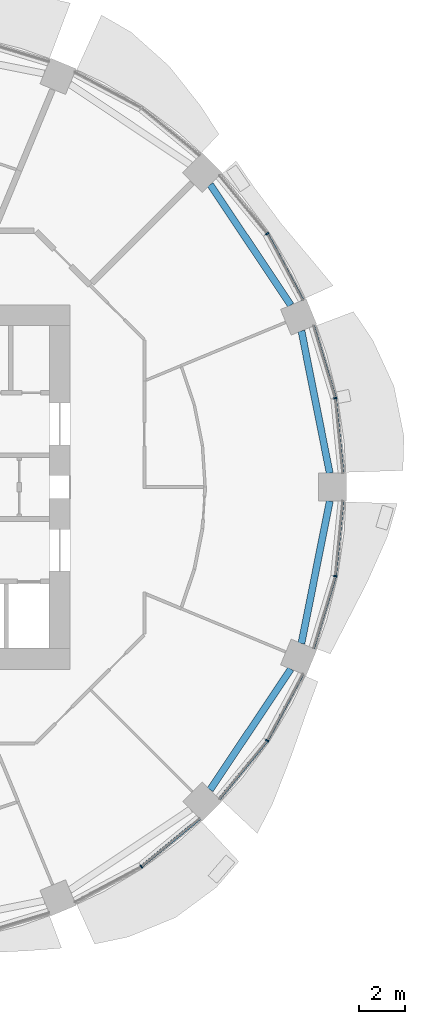
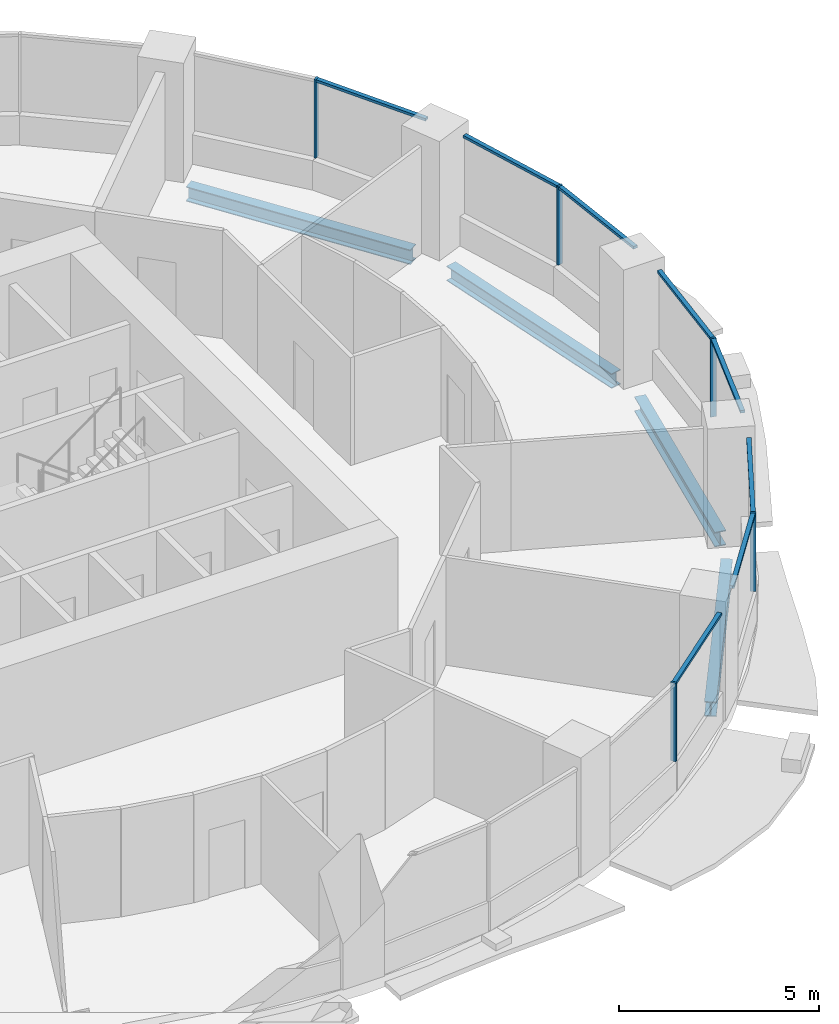
# One storey, part 5 of 15: 13 members, 4 beams, 5 elements without a shape of their own.
"""IFC4 building model written with IfcOpenShell, lengths in metres."""

import ifcopenshell
import ifcopenshell.guid

model = None  # the IFC model being written
_history = None  # IfcOwnerHistory: only IFC2X3 demands one
_inside = {}  # id of a spatial element -> (the spatial element, [elements in it])
_under = {}  # id of a project, library or spatial element -> (it, [spatial elements below it])
_declared = {}  # id of a project -> (the project, [libraries it declares])
_typed = {}  # id of a type object -> (the type object, [elements of that type])
_made_of = {}  # id of a material, layer set ... -> (it, [elements and type objects made of it])


def new_model(schema):
    """Start an empty IFC model of exactly this schema.

    Asked for "IFC4X3", IfcOpenShell would pick the latest addendum, in which some entities
    have other attributes; the version numbers below select the first issue.
    IFC2X3 requires an IfcOwnerHistory on every rooted entity: one is made here for all.
    """
    global model, _history
    if schema == "IFC4X3":
        model = ifcopenshell.file(schema_version=(4, 3, 0, 0))
    else:
        model = ifcopenshell.file(schema=schema)
    _inside.clear()
    _under.clear()
    _declared.clear()
    _typed.clear()
    _made_of.clear()
    _history = None
    if model.schema == "IFC2X3":
        org = make("IfcOrganization", Name="unknown")
        user = make(
            "IfcPersonAndOrganization",
            ThePerson=make("IfcPerson", FamilyName="unknown"),
            TheOrganization=org,
        )
        app = make(
            "IfcApplication",
            ApplicationDeveloper=org,
            Version="unknown",
            ApplicationFullName="unknown",
            ApplicationIdentifier="unknown",
        )
        _history = make(
            "IfcOwnerHistory",
            OwningUser=user,
            OwningApplication=app,
            ChangeAction="ADDED",
            CreationDate=0,
        )
    return model


def make(cls, **values):
    """One entity of the class cls with the attributes given. An attribute that is None is left unset."""
    return model.create_entity(
        cls, **{name: value for name, value in values.items() if value is not None}
    )


def rooted(cls, **values):
    """An entity with a GlobalId (a new one), such as an element, a storey or a relation."""
    return make(cls, GlobalId=ifcopenshell.guid.new(), OwnerHistory=_history, **values)


def si_unit(unit_type, name, prefix=None):
    """IfcSIUnit, for example si_unit("LENGTHUNIT", "METRE", prefix="MILLI")."""
    return make("IfcSIUnit", UnitType=unit_type, Prefix=prefix, Name=name)


def assignment(units):
    """IfcUnitAssignment: the units of a project."""
    return None if units is None else make("IfcUnitAssignment", Units=units)


def point(xyz):
    """IfcCartesianPoint."""
    return None if xyz is None else make("IfcCartesianPoint", Coordinates=xyz)


def direction(xyz):
    """IfcDirection."""
    return None if xyz is None else make("IfcDirection", DirectionRatios=xyz)


def frame(location, z_axis=None, x_axis=None):
    """IfcAxis2Placement3D, a coordinate frame: its origin and axes. An axis left out is left unset."""
    return make(
        "IfcAxis2Placement3D",
        Location=point(location),
        Axis=direction(z_axis),
        RefDirection=direction(x_axis),
    )


def frame_2d(location, x_axis=None):
    """IfcAxis2Placement2D, a coordinate frame in the plane: its origin and x axis."""
    return make(
        "IfcAxis2Placement2D", Location=point(location), RefDirection=direction(x_axis)
    )


def origin():
    """The frame at (0, 0, 0) with its axes left unset."""
    return frame((0.0, 0.0, 0.0))


def origin_2d():
    """The frame at (0, 0) in the plane with its x axis left unset."""
    return frame_2d((0.0, 0.0))


def place(relative_to, where):
    """IfcLocalPlacement: puts the frame where relative to a parent placement (None: the world)."""
    return make(
        "IfcLocalPlacement", PlacementRelTo=relative_to, RelativePlacement=where
    )


def context(
    kind, dimensions, precision=None, world=None, true_north=None, identifier=None
):
    """IfcGeometricRepresentationContext, for example the 3D "Model" context."""
    return make(
        "IfcGeometricRepresentationContext",
        ContextIdentifier=identifier,
        ContextType=kind,
        CoordinateSpaceDimension=dimensions,
        Precision=precision,
        WorldCoordinateSystem=world,
        TrueNorth=true_north,
    )


def subcontext(parent, identifier, kind, view, scale=None):
    """IfcGeometricRepresentationSubContext, for example "Body" below "Model"."""
    return make(
        "IfcGeometricRepresentationSubContext",
        ContextIdentifier=identifier,
        ContextType=kind,
        ParentContext=parent,
        TargetScale=scale,
        TargetView=view,
    )


def project(units=None, contexts=None):
    """IfcProject with its units and contexts."""
    return rooted(
        "IfcProject",
        Name="project",
        RepresentationContexts=contexts,
        UnitsInContext=assignment(units),
    )


def spatial(cls, under=None, at=None, **own):
    """A site, building, storey or space (cls), placed at a placement, below another one or the project."""
    s = rooted(cls, ObjectPlacement=at, **own)
    if under is not None:
        _under.setdefault(under.id(), (under, []))[1].append(s)
    return s


def profile(cls, at=None, kind="AREA", **sizes):
    """A parametric profile (cls). Its sizes go by their IFC names, for example OverallWidth=200.0."""
    return make(cls, ProfileType=kind, Position=at, **sizes)


def rectangle(**sizes):
    """IfcRectangleProfileDef."""
    return profile("IfcRectangleProfileDef", **sizes)


def i_section(**sizes):
    """IfcIShapeProfileDef."""
    return profile("IfcIShapeProfileDef", **sizes)


def extrude(swept, where, along, depth):
    """IfcExtrudedAreaSolid: the profile swept, set in the frame where, extruded along a direction by depth."""
    return make(
        "IfcExtrudedAreaSolid",
        SweptArea=swept,
        Position=where,
        ExtrudedDirection=direction(along),
        Depth=depth,
    )


def shape(context_of_items, identifier, shape_type, items):
    """IfcShapeRepresentation: the items that make up one representation, for example the "Body"."""
    return make(
        "IfcShapeRepresentation",
        ContextOfItems=context_of_items,
        RepresentationIdentifier=identifier,
        RepresentationType=shape_type,
        Items=items,
    )


def material(Name=None, Category=None):
    """IfcMaterial."""
    return make("IfcMaterial", Name=Name, Category=Category)


def material_profile(
    of_material, cross_section, Name=None, Category=None, Priority=None
):
    """IfcMaterialProfile: a cross section and its material."""
    return make(
        "IfcMaterialProfile",
        Name=Name,
        Material=of_material,
        Profile=cross_section,
        Priority=Priority,
        Category=Category,
    )


def profile_set(profiles, Name=None, composite=None):
    """IfcMaterialProfileSet."""
    return make(
        "IfcMaterialProfileSet",
        Name=Name,
        MaterialProfiles=profiles,
        CompositeProfile=composite,
    )


def made_of(thing, what):
    """Note that an element or type object is made of a material, layer set ...; save() writes the relation."""
    if what is not None:
        _made_of.setdefault(what.id(), (what, []))[1].append(thing)
    return thing


def type_object(cls, material=None, **own):
    """A type object (cls), such as IfcWallType, which elements share."""
    return made_of(rooted(cls, **own), material)


def element(
    cls,
    number,
    at=None,
    inside=None,
    cuts=None,
    type_object=None,
    material=None,
    context=None,
    identifier="Body",
    shape_type=None,
    held_by="IfcProductDefinitionShape",
    body=None,
    shapes=None,
    **own,
):
    """One element of the class cls, such as IfcWall. Its Tag is "e" and its number.

    at: its placement. inside: the storey or other place that contains it. cuts: it is an
    opening in that element (IfcRelVoidsElement). A single representation is given by context,
    identifier, shape_type and body (its items); several are given by shapes. held_by: the class
    of the entity that holds the representations. save() writes the other relations.
    """
    e = rooted(cls, Tag="e%d" % number, ObjectPlacement=at, **own)
    if body is not None:
        shapes = [shape(context, identifier, shape_type, body)]
    if shapes is not None:
        e.Representation = make(held_by, Representations=shapes)
    if inside is not None:
        _inside.setdefault(inside.id(), (inside, []))[1].append(e)
    if cuts is not None:
        rooted(
            "IfcRelVoidsElement", RelatingBuildingElement=cuts, RelatedOpeningElement=e
        )
    if type_object is not None:
        _typed.setdefault(type_object.id(), (type_object, []))[1].append(e)
    return made_of(e, material)


def aggregate(whole, parts):
    """IfcRelAggregates: a whole, such as a stair, and the parts it consists of."""
    return rooted("IfcRelAggregates", RelatingObject=whole, RelatedObjects=parts)


def save(model, path):
    """Write the relations noted so far, then the file.

    IfcRelAggregates (storeys below a building ...), IfcRelContainedInSpatialStructure (elements
    in a storey), IfcRelDefinesByType, IfcRelAssociatesMaterial and IfcRelDeclares: one each for
    every whole, place, type object, material and project.
    """
    for whole, parts in _under.values():
        aggregate(whole, parts)
    for where, things in _inside.values():
        rooted(
            "IfcRelContainedInSpatialStructure",
            RelatedElements=things,
            RelatingStructure=where,
        )
    for kind, things in _typed.values():
        rooted("IfcRelDefinesByType", RelatedObjects=things, RelatingType=kind)
    for what, things in _made_of.values():
        rooted("IfcRelAssociatesMaterial", RelatedObjects=things, RelatingMaterial=what)
    for by, libraries in _declared.values():
        rooted("IfcRelDeclares", RelatingContext=by, RelatedDefinitions=libraries)
    model.write(path)


model = new_model("IFC4")

# Units and contexts
model_context = context("Model", 3, precision=1e-05, world=origin(), true_north=direction((0.0, 1.0)))
body_context = subcontext(model_context, "Body", "Model", "MODEL_VIEW")
ifc_project = project(units=[si_unit("LENGTHUNIT", "METRE"), si_unit("AREAUNIT", "SQUARE_METRE"), si_unit("VOLUMEUNIT", "CUBIC_METRE"), si_unit("PLANEANGLEUNIT", "RADIAN"), si_unit("MASSUNIT", "GRAM", prefix="KILO")], contexts=[model_context])

# Site, building, storey
site_placement = place(None, origin())
site = spatial("IfcSite", under=ifc_project, at=site_placement, CompositionType="ELEMENT")
building_placement = place(site_placement, origin())
building = spatial("IfcBuilding", under=site, at=building_placement, Name="Polderwave Tower", CompositionType="ELEMENT")
storey_placement = place(building_placement, frame((0.0, 0.0, 33.5)))
storey = spatial("IfcBuildingStorey", under=building, at=storey_placement, Name="L08", CompositionType="ELEMENT", Elevation=33.5)

# Curtain wall, member
ifc_material_1 = material(Name="Aluminium 6063-T6 and glass", Category="aluminium")
curtain_wall_type = type_object("IfcCurtainWallType", Name="Growing floor ribbon glazing wall", PredefinedType="NOTDEFINED", material=ifc_material_1)
curtain_wall_1_placement = place(storey_placement, origin())
curtain_wall_1 = element("IfcCurtainWall", 1, at=curtain_wall_1_placement, inside=storey, type_object=curtain_wall_type, Name="CW2 L08 00", PredefinedType="NOTDEFINED")
ifc_material_2 = material(Name="Aluminium 6063-T6", Category="aluminium")
ifc_material_profile_1 = material_profile(ifc_material_2, rectangle(XDim=0.14990234375, YDim=0.06005859375, at=origin_2d()), Name="AL 60x150")
ifc_profile_set_1 = profile_set([ifc_material_profile_1], Name="Aluminium 6063-T6")
member_type_1 = type_object("IfcMemberType", Name="Growing floor ribbon glazing mullion 60x150", PredefinedType="MULLION", material=ifc_profile_set_1)
member_1_placement = place(storey_placement, frame((19.321044921875, 3.843017578125, 0.89990234375), z_axis=(0.0, 0.0, 1.0), x_axis=(-0.980771658139, -0.19515879327, 0.0)))
member_1 = element("IfcMember", 2, at=member_1_placement, type_object=member_type_1, Name="CW2 mullion 1", PredefinedType="MULLION", context=body_context, shape_type="SweptSolid", body=[
    extrude(rectangle(XDim=0.14990234375, YDim=0.06005859375, at=origin_2d()), origin(), (0.0, 0.0, 1.0), 2.400146484375),
])

curtain_wall_2_placement = place(storey_placement, origin())
curtain_wall_2 = element("IfcCurtainWall", 3, at=curtain_wall_2_placement, inside=storey, type_object=curtain_wall_type, Name="CW2 L08 01", PredefinedType="NOTDEFINED")
member_2_placement = place(storey_placement, frame((16.3798828125, 10.945068359375, 0.89990234375), z_axis=(0.0, 0.0, 1.0), x_axis=(-0.831436642637, -0.555619572441, 0.0)))
member_2 = element("IfcMember", 4, at=member_2_placement, type_object=member_type_1, Name="CW2 mullion 1", PredefinedType="MULLION", context=body_context, shape_type="SweptSolid", body=[
    extrude(rectangle(XDim=0.14990234375, YDim=0.06005859375, at=origin_2d()), origin(), (0.0, 0.0, 1.0), 2.400146484375),
])

curtain_wall_3_placement = place(storey_placement, origin())
curtain_wall_3 = element("IfcCurtainWall", 5, at=curtain_wall_3_placement, inside=storey, type_object=curtain_wall_type, Name="CW2 L08 13", PredefinedType="NOTDEFINED")
member_3_placement = place(storey_placement, frame((10.945068359375, -16.3798828125, 0.89990234375), z_axis=(0.0, 0.0, 1.0), x_axis=(-0.555619572441, 0.831436642637, 0.0)))
member_3 = element("IfcMember", 6, at=member_3_placement, type_object=member_type_1, Name="CW2 mullion 1", PredefinedType="MULLION", context=body_context, shape_type="SweptSolid", body=[
    extrude(rectangle(XDim=0.14990234375, YDim=0.06005859375, at=origin_2d()), origin(), (0.0, 0.0, 1.0), 2.400146484375),
])

curtain_wall_4_placement = place(storey_placement, origin())
curtain_wall_4 = element("IfcCurtainWall", 7, at=curtain_wall_4_placement, inside=storey, type_object=curtain_wall_type, Name="CW2 L08 14", PredefinedType="NOTDEFINED")
member_4_placement = place(storey_placement, frame((16.3798828125, -10.945068359375, 0.89990234375), z_axis=(0.0, 0.0, 1.0), x_axis=(-0.831436642637, 0.555619572441, 0.0)))
member_4 = element("IfcMember", 8, at=member_4_placement, type_object=member_type_1, Name="CW2 mullion 1", PredefinedType="MULLION", context=body_context, shape_type="SweptSolid", body=[
    extrude(rectangle(XDim=0.14990234375, YDim=0.06005859375, at=origin_2d()), origin(), (0.0, 0.0, 1.0), 2.400146484375),
])

curtain_wall_5_placement = place(storey_placement, origin())
curtain_wall_5 = element("IfcCurtainWall", 9, at=curtain_wall_5_placement, inside=storey, type_object=curtain_wall_type, Name="CW2 L08 15", PredefinedType="NOTDEFINED")
member_5_placement = place(storey_placement, frame((19.321044921875, -3.843017578125, 0.89990234375), z_axis=(0.0, 0.0, 1.0), x_axis=(-0.980771658139, 0.19515879327, 0.0)))
member_5 = element("IfcMember", 10, at=member_5_placement, type_object=member_type_1, Name="CW2 mullion 1", PredefinedType="MULLION", context=body_context, shape_type="SweptSolid", body=[
    extrude(rectangle(XDim=0.14990234375, YDim=0.06005859375, at=origin_2d()), origin(), (0.0, 0.0, 1.0), 2.400146484375),
])

# Member
ifc_material_profile_2 = material_profile(ifc_material_2, rectangle(XDim=0.1201171875, YDim=0.080078125, at=origin_2d()), Name="AL 80x120")
ifc_profile_set_2 = profile_set([ifc_material_profile_2], Name="Aluminium 6063-T6")
member_type_2 = type_object("IfcMemberType", Name="Growing floor ribbon glazing transom 80x120", PredefinedType="USERDEFINED", material=ifc_profile_set_2)
member_6_placement = place(storey_placement, frame((19.64111328125, 0.60009765625, 3.260009765625), z_axis=(-0.098230820031, 0.995163657896, 0.0), x_axis=(-0.995163657896, -0.098230820031, 0.0)))
member_6 = element("IfcMember", 11, at=member_6_placement, type_object=member_type_2, Name="CW2 transom 1", ObjectType="TRANSOM", PredefinedType="USERDEFINED", context=body_context, shape_type="SweptSolid", body=[
    extrude(rectangle(XDim=0.1201171875, YDim=0.080078125, at=origin_2d()), origin(), (0.0, 0.0, 1.0), 3.228515625),
])

member_7_placement = place(storey_placement, frame((19.312255859375, 3.87158203125, 3.260009765625), z_axis=(-0.290231901029, 0.956956343636, 0.0), x_axis=(-0.956956343636, -0.290231901029, 0.0)))
member_7 = element("IfcMember", 12, at=member_7_placement, type_object=member_type_2, Name="CW2 transom 2", ObjectType="TRANSOM", PredefinedType="USERDEFINED", context=body_context, shape_type="SweptSolid", body=[
    extrude(rectangle(XDim=0.1201171875, YDim=0.080078125, at=origin_2d()), origin(), (0.0, 0.0, 1.0), 3.229248046875),
])

aggregate(curtain_wall_1, [member_1, member_6, member_7])

member_8_placement = place(storey_placement, frame((17.916015625, 8.071044921875, 3.260009765625), z_axis=(-0.471396538118, 0.88192137056, 0.0), x_axis=(-0.88192137056, -0.471396538118, 0.0)))
member_8 = element("IfcMember", 13, at=member_8_placement, type_object=member_type_2, Name="CW2 transom 1", ObjectType="TRANSOM", PredefinedType="USERDEFINED", context=body_context, shape_type="SweptSolid", body=[
    extrude(rectangle(XDim=0.1201171875, YDim=0.080078125, at=origin_2d()), origin(), (0.0, 0.0, 1.0), 3.228759765625),
])

aggregate(curtain_wall_2, [member_2, member_8])

member_9_placement = place(storey_placement, frame((10.96826171875, -16.361083984375, 3.260009765625), z_axis=(0.772891772245, 0.634537869946, 0.0), x_axis=(-0.634537869946, 0.772891772245, 0.0)))
member_9 = element("IfcMember", 14, at=member_9_placement, type_object=member_type_2, Name="CW2 transom 2", ObjectType="TRANSOM", PredefinedType="USERDEFINED", context=body_context, shape_type="SweptSolid", body=[
    extrude(rectangle(XDim=0.1201171875, YDim=0.080078125, at=origin_2d()), origin(), (0.0, 0.0, 1.0), 3.229248046875),
])

aggregate(curtain_wall_3, [member_3, member_9])

member_10_placement = place(storey_placement, frame((14.31201171875, -13.464111328125, 3.260009765625), z_axis=(0.634537869946, 0.772891772245, 0.0), x_axis=(-0.772891772245, 0.634537869946, 0.0)))
member_10 = element("IfcMember", 15, at=member_10_placement, type_object=member_type_2, Name="CW2 transom 1", ObjectType="TRANSOM", PredefinedType="USERDEFINED", context=body_context, shape_type="SweptSolid", body=[
    extrude(rectangle(XDim=0.1201171875, YDim=0.080078125, at=origin_2d()), origin(), (0.0, 0.0, 1.0), 3.229248046875),
])

member_11_placement = place(storey_placement, frame((16.39404296875, -10.91845703125, 3.260009765625), z_axis=(0.471396538118, 0.88192137056, 0.0), x_axis=(-0.88192137056, 0.471396538118, 0.0)))
member_11 = element("IfcMember", 16, at=member_11_placement, type_object=member_type_2, Name="CW2 transom 2", ObjectType="TRANSOM", PredefinedType="USERDEFINED", context=body_context, shape_type="SweptSolid", body=[
    extrude(rectangle(XDim=0.1201171875, YDim=0.080078125, at=origin_2d()), origin(), (0.0, 0.0, 1.0), 3.228759765625),
])

aggregate(curtain_wall_4, [member_4, member_10, member_11])

member_12_placement = place(storey_placement, frame((18.375, -6.9619140625, 3.260009765625), z_axis=(0.290231901029, 0.956956343636, 0.0), x_axis=(-0.956956343636, 0.290231901029, 0.0)))
member_12 = element("IfcMember", 17, at=member_12_placement, type_object=member_type_2, Name="CW2 transom 1", ObjectType="TRANSOM", PredefinedType="USERDEFINED", context=body_context, shape_type="SweptSolid", body=[
    extrude(rectangle(XDim=0.1201171875, YDim=0.080078125, at=origin_2d()), origin(), (0.0, 0.0, 1.0), 3.229248046875),
])

member_13_placement = place(storey_placement, frame((19.323974609375, -3.81298828125, 3.260009765625), z_axis=(0.098230820031, 0.995163657896, 0.0), x_axis=(-0.995163657896, 0.098230820031, 0.0)))
member_13 = element("IfcMember", 18, at=member_13_placement, type_object=member_type_2, Name="CW2 transom 2", ObjectType="TRANSOM", PredefinedType="USERDEFINED", context=body_context, shape_type="SweptSolid", body=[
    extrude(rectangle(XDim=0.1201171875, YDim=0.080078125, at=origin_2d()), origin(), (0.0, 0.0, 1.0), 3.228515625),
])

aggregate(curtain_wall_5, [member_5, member_12, member_13])

# Beams
ifc_material_3 = material(Name="Steel S355", Category="steel")
ifc_material_profile_3 = material_profile(ifc_material_3, i_section(OverallWidth=0.300048828125, OverallDepth=0.449951171875, WebThickness=0.013916015625, FlangeThickness=0.02587890625, at=origin_2d()), Name="HE 450 B")
ifc_profile_set_3 = profile_set([ifc_material_profile_3], Name="Steel S355")
beam_type = type_object("IfcBeamType", Name="RING BEAM HE 450 B", PredefinedType="BEAM", material=ifc_profile_set_3)
beam_1_placement = place(storey_placement, frame((19.08056640625, 0.60009765625, -0.574951171875), z_axis=(-0.195067338291, 0.98078985187, 0.0), x_axis=(-0.98078985187, -0.195067338291, 0.0)))
element("IfcBeam", 19, at=beam_1_placement, inside=storey, type_object=beam_type, Name="ST-RB-L08-00", PredefinedType="BEAM", context=body_context, shape_type="SweptSolid", body=[
    extrude(i_section(OverallWidth=0.300048828125, OverallDepth=0.449951171875, WebThickness=0.013916015625, FlangeThickness=0.02587890625, at=origin_2d()), origin(), (0.0, 0.0, 1.0), 6.267822265625),
])
for number, where, z_axis, x_axis, name in (
    (20, (17.398681640625, 7.856201171875, -0.574951171875), (-0.555580751359, 0.831462584076, 0.0), (-0.831462584076, -0.555580751359, 0.0), "ST-RB-L08-01"),
    (21, (13.916259765625, -13.06787109375, -0.574951171875), (0.555580751359, 0.831462584076, 0.0), (-0.831462584076, 0.555580751359, 0.0), "ST-RB-L08-14"),
):
    element("IfcBeam", number, at=place(storey_placement, frame(where, z_axis=z_axis, x_axis=x_axis)), inside=storey, type_object=beam_type, Name=name, PredefinedType="BEAM", context=body_context, shape_type="SweptSolid", body=[
        extrude(i_section(OverallWidth=0.300048828125, OverallDepth=0.449951171875, WebThickness=0.013916015625, FlangeThickness=0.02587890625, at=origin_2d()), origin(), (0.0, 0.0, 1.0), 6.26806640625),
    ])
beam_2_placement = place(storey_placement, frame((17.85791015625, -6.74755859375, -0.574951171875), z_axis=(0.195067338291, 0.98078985187, 0.0), x_axis=(-0.98078985187, 0.195067338291, 0.0)))
element("IfcBeam", 22, at=beam_2_placement, inside=storey, type_object=beam_type, Name="ST-RB-L08-15", PredefinedType="BEAM", context=body_context, shape_type="SweptSolid", body=[
    extrude(i_section(OverallWidth=0.300048828125, OverallDepth=0.449951171875, WebThickness=0.013916015625, FlangeThickness=0.02587890625, at=origin_2d()), origin(), (0.0, 0.0, 1.0), 6.267822265625),
])

save(model, "model.ifc")
